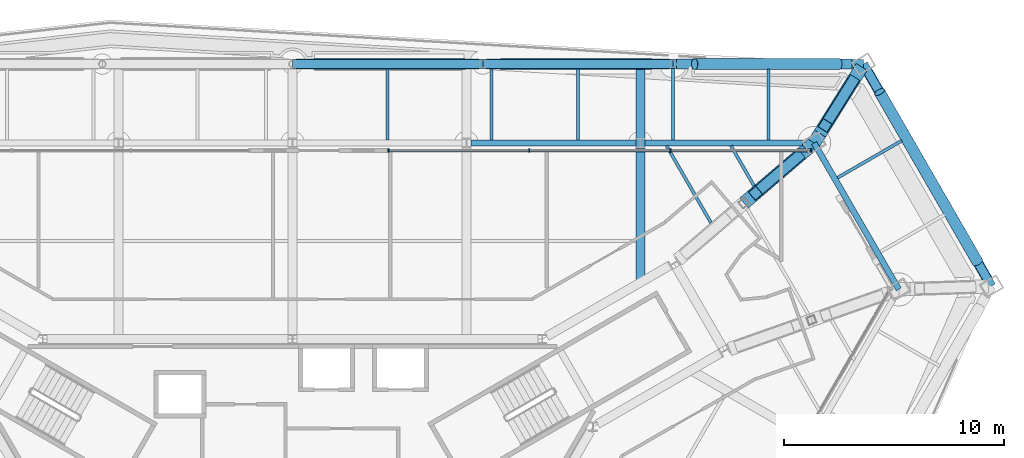
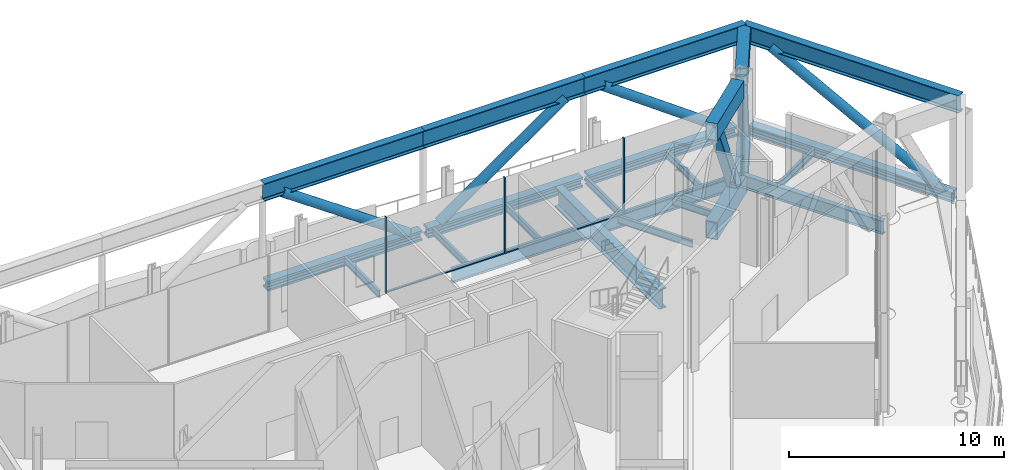
# One storey, part 14 of 26: 24 beams, 13 members, 1 element without a shape of its own.
"""IFC4 building model written with IfcOpenShell, lengths in metres."""

from ifc_helpers import new_model, si_unit, direction, frame, origin, origin_2d, place, context, subcontext, project, spatial, rectangle, hollow_rectangle, hollow_circle, i_section, extrude, material, material_profile, profile_set, type_object, element, aggregate, save


model = new_model("IFC4")

# Units and contexts
model_context = context("Model", 3, precision=1e-05, world=origin(), true_north=direction((0.0, 1.0)))
body_context = subcontext(model_context, "Body", "Model", "MODEL_VIEW")
ifc_project = project(units=[si_unit("LENGTHUNIT", "METRE"), si_unit("AREAUNIT", "SQUARE_METRE"), si_unit("VOLUMEUNIT", "CUBIC_METRE"), si_unit("PLANEANGLEUNIT", "RADIAN"), si_unit("MASSUNIT", "GRAM", prefix="KILO")], contexts=[model_context])

# Site, building, storey
site_placement = place(None, origin())
site = spatial("IfcSite", under=ifc_project, at=site_placement, CompositionType="ELEMENT")
building_placement = place(site_placement, origin())
building = spatial("IfcBuilding", under=site, at=building_placement, Name="Verrane Prism Tower", CompositionType="ELEMENT")
storey_placement = place(building_placement, frame((0.0, 0.0, 87.199951171875)))
storey = spatial("IfcBuildingStorey", under=building, at=storey_placement, Name="L20", CompositionType="ELEMENT", Elevation=87.199951171875)

# Beams
ifc_material_1 = material(Name="Steel A992", Category="steel")
ifc_material_profile_1 = material_profile(ifc_material_1, i_section(OverallWidth=0.45458984375, OverallDepth=0.56884765625, WebThickness=0.077880859375, FlangeThickness=0.124755859375, FilletRadius=0.01513671875, at=origin_2d()), Name="W14x730")
ifc_profile_set_1 = profile_set([ifc_material_profile_1], Name="Steel A992")
beam_type_1 = type_object("IfcBeamType", Name="Belt truss chord W14x730", PredefinedType="BEAM", material=ifc_profile_set_1)
beam_1_placement = place(storey_placement, frame((25.38037109375, 21.669921875, -0.445556640625), z_axis=(-1.0, 0.0, 0.0), x_axis=(0.0, -1.0, 0.0)))
element("IfcBeam", 1, at=beam_1_placement, inside=storey, type_object=beam_type_1, Name="Belt truss chord L20", PredefinedType="BEAM", context=body_context, shape_type="SweptSolid", body=[
    extrude(i_section(OverallWidth=0.45458984375, OverallDepth=0.56884765625, WebThickness=0.077880859375, FlangeThickness=0.124755859375, FilletRadius=0.01513671875, at=origin_2d()), origin(), (0.0, 0.0, 1.0), 7.957763671875),
])
beam_2_placement = place(storey_placement, frame((17.097412109375, 21.669921875, -0.445556640625), z_axis=(-1.0, 0.0, 0.0), x_axis=(0.0, -1.0, 0.0)))
element("IfcBeam", 2, at=beam_2_placement, inside=storey, type_object=beam_type_1, Name="Belt truss chord L20", PredefinedType="BEAM", context=body_context, shape_type="SweptSolid", body=[
    extrude(i_section(OverallWidth=0.45458984375, OverallDepth=0.56884765625, WebThickness=0.077880859375, FlangeThickness=0.124755859375, FilletRadius=0.01513671875, at=origin_2d()), origin(), (0.0, 0.0, 1.0), 8.304931640625),
])
beam_3_placement = place(storey_placement, frame((8.46728515625, 21.669921875, -0.445556640625), z_axis=(-1.0, 0.0, 0.0), x_axis=(0.0, -1.0, 0.0)))
element("IfcBeam", 3, at=beam_3_placement, inside=storey, type_object=beam_type_1, Name="Belt truss chord L20", PredefinedType="BEAM", context=body_context, shape_type="SweptSolid", body=[
    extrude(i_section(OverallWidth=0.45458984375, OverallDepth=0.56884765625, WebThickness=0.077880859375, FlangeThickness=0.124755859375, FilletRadius=0.01513671875, at=origin_2d()), origin(), (0.0, 0.0, 1.0), 8.3046875),
])
beam_4_placement = place(storey_placement, frame((31.53515625, 11.893310546875, -0.445556640625), z_axis=(-0.499381576475, 0.866382156486, 0.0), x_axis=(-0.866382156486, -0.499381576475, 0.0)))
element("IfcBeam", 4, at=beam_4_placement, inside=storey, type_object=beam_type_1, Name="Belt truss chord L20", PredefinedType="BEAM", context=body_context, shape_type="SweptSolid", body=[
    extrude(i_section(OverallWidth=0.45458984375, OverallDepth=0.56884765625, WebThickness=0.077880859375, FlangeThickness=0.124755859375, FilletRadius=0.01513671875, at=origin_2d()), origin(), (0.0, 0.0, 1.0), 10.934326171875),
])
ifc_material_2 = material(Name="Steel A992", Category="steel")
ifc_material_profile_2 = material_profile(ifc_material_2, i_section(OverallWidth=0.4013671875, OverallDepth=1.000732421875, WebThickness=0.01904296875, FlangeThickness=0.0361328125, FilletRadius=0.030029296875, at=origin_2d()), Name="W40x249")
ifc_profile_set_2 = profile_set([ifc_material_profile_2], Name="Steel A992")
beam_type_2 = type_object("IfcBeamType", Name="Belt truss chord W40x249", PredefinedType="BEAM", material=ifc_profile_set_2)
beam_5_placement = place(storey_placement, frame((25.89990234375, 21.669921875, 4.939697265625), z_axis=(-1.0, 0.0, 0.0), x_axis=(0.0, -1.0, 0.0)))
element("IfcBeam", 5, at=beam_5_placement, inside=storey, type_object=beam_type_2, Name="Belt truss chord L20", PredefinedType="BEAM", context=body_context, shape_type="SweptSolid", body=[
    extrude(i_section(OverallWidth=0.4013671875, OverallDepth=1.000732421875, WebThickness=0.01904296875, FlangeThickness=0.0361328125, FilletRadius=0.030029296875, at=origin_2d()), origin(), (0.0, 0.0, 1.0), 8.639892578125),
])
beam_6_placement = place(storey_placement, frame((17.260009765625, 21.669921875, 4.939697265625), z_axis=(-1.0, 0.0, 0.0), x_axis=(0.0, -1.0, 0.0)))
element("IfcBeam", 6, at=beam_6_placement, inside=storey, type_object=beam_type_2, Name="Belt truss chord L20", PredefinedType="BEAM", context=body_context, shape_type="SweptSolid", body=[
    extrude(i_section(OverallWidth=0.4013671875, OverallDepth=1.000732421875, WebThickness=0.01904296875, FlangeThickness=0.0361328125, FilletRadius=0.030029296875, at=origin_2d()), origin(), (0.0, 0.0, 1.0), 8.630126953125),
])
beam_7_placement = place(storey_placement, frame((8.6298828125, 21.669921875, 4.939697265625), z_axis=(-1.0, 0.0, 0.0), x_axis=(0.0, -1.0, 0.0)))
element("IfcBeam", 7, at=beam_7_placement, inside=storey, type_object=beam_type_2, Name="Belt truss chord L20", PredefinedType="BEAM", context=body_context, shape_type="SweptSolid", body=[
    extrude(i_section(OverallWidth=0.4013671875, OverallDepth=1.000732421875, WebThickness=0.01904296875, FlangeThickness=0.0361328125, FilletRadius=0.030029296875, at=origin_2d()), origin(), (0.0, 0.0, 1.0), 8.6298828125),
])
beam_8_placement = place(storey_placement, frame((31.7099609375, 11.590087890625, 4.939697265625), z_axis=(-0.499385129151, 0.866380108718, 0.0), x_axis=(-0.866380108718, -0.499385129151, 0.0)))
element("IfcBeam", 8, at=beam_8_placement, inside=storey, type_object=beam_type_2, Name="Belt truss chord L20", PredefinedType="BEAM", context=body_context, shape_type="SweptSolid", body=[
    extrude(i_section(OverallWidth=0.4013671875, OverallDepth=1.000732421875, WebThickness=0.01904296875, FlangeThickness=0.0361328125, FilletRadius=0.030029296875, at=origin_2d()), origin(), (0.0, 0.0, 1.0), 11.634521484375),
])

# Members
ifc_material_3 = material(Name="Steel A500 Grade C", Category="steel")
ifc_material_profile_3 = material_profile(ifc_material_3, hollow_circle(Radius=0.25390625, WallThickness=0.0126953125, at=origin_2d()), Name="HSS20.000x0.500")
ifc_profile_set_3 = profile_set([ifc_material_profile_3], Name="Steel A500 Grade C")
member_type_1 = type_object("IfcMemberType", Name="Belt truss diagonal HSS20.000x0.500", PredefinedType="BRACE", material=ifc_profile_set_3)
member_1_placement = place(storey_placement, frame((31.07958984375, 12.68359375, -0.160888671875), z_axis=(-0.441486894012, 0.765940031167, 0.467359809004), x_axis=(-0.866382141209, -0.499381602979, 0.0)))
element("IfcMember", 9, at=member_1_placement, inside=storey, type_object=member_type_1, Name="Belt truss diagonal L20", PredefinedType="BRACE", context=body_context, shape_type="SweptSolid", body=[
    extrude(hollow_circle(Radius=0.25390625, WallThickness=0.0126953125, at=origin_2d()), origin(), (0.0, 0.0, 1.0), 10.077880859375),
])
member_2_placement = place(storey_placement, frame((24.781005859375, 21.669921875, -0.160888671875), z_axis=(-0.811550425729, 0.0, 0.584282385922), x_axis=(0.0, -1.0, 0.0)))
element("IfcMember", 10, at=member_2_placement, inside=storey, type_object=member_type_1, Name="Belt truss diagonal L20", PredefinedType="BRACE", context=body_context, shape_type="SweptSolid", body=[
    extrude(hollow_circle(Radius=0.25390625, WallThickness=0.0126953125, at=origin_2d()), origin(), (0.0, 0.0, 1.0), 8.06103515625),
])
for number, where, z_axis, x_axis, name in (
    (11, (9.476318359375, 21.669921875, -0.160888671875), (0.821461511401, 0.0, 0.570263961063), (0.0, 1.0, 0.0), "Belt truss diagonal L20"),
    (12, (7.78369140625, 21.669921875, -0.160888671875), (-0.821461511401, 0.0, 0.570263961063), (0.0, -1.0, 0.0), "Belt truss diagonal L20"),
):
    element("IfcMember", number, at=place(storey_placement, frame(where, z_axis=z_axis, x_axis=x_axis)), inside=storey, type_object=member_type_1, Name=name, PredefinedType="BRACE", context=body_context, shape_type="SweptSolid", body=[
        extrude(hollow_circle(Radius=0.25390625, WallThickness=0.0126953125, at=origin_2d()), origin(), (0.0, 0.0, 1.0), 8.25927734375),
    ])

# Beams
ifc_material_4 = material(Name="Steel A992", Category="steel")
ifc_material_profile_4 = material_profile(ifc_material_4, i_section(OverallWidth=0.2666015625, OverallDepth=0.76708984375, WebThickness=0.014892578125, FlangeThickness=0.023681640625, FilletRadius=0.0166015625, at=origin_2d()), Name="W30x124")
ifc_profile_set_4 = profile_set([ifc_material_profile_4], Name="Steel A992")
beam_type_3 = type_object("IfcBeamType", Name="Chamfer spandrel beam W30x124", PredefinedType="SPANDREL", material=ifc_profile_set_4)
beam_9_placement = place(storey_placement, frame((27.5, 11.449951171875, -0.54345703125), z_axis=(-0.500625947267, 0.86566371122, 0.0), x_axis=(-0.86566371122, -0.500625947267, 0.0)))
element("IfcBeam", 13, at=beam_9_placement, inside=storey, type_object=beam_type_3, Name="Chamfer spandrel beam L20", PredefinedType="SPANDREL", context=body_context, shape_type="SweptSolid", body=[
    extrude(i_section(OverallWidth=0.2666015625, OverallDepth=0.76708984375, WebThickness=0.014892578125, FlangeThickness=0.023681640625, FilletRadius=0.0166015625, at=origin_2d()), origin(), (0.0, 0.0, 1.0), 7.670654296875),
])
ifc_material_5 = material(Name="Steel A992", Category="steel")
ifc_material_profile_5 = material_profile(ifc_material_5, i_section(OverallWidth=0.140380859375, OverallDepth=0.40380859375, WebThickness=0.007080078125, FlangeThickness=0.01123046875, FilletRadius=0.01025390625, at=origin_2d()), Name="W16x31")
ifc_profile_set_5 = profile_set([ifc_material_profile_5], Name="Steel A992")
beam_type_4 = type_object("IfcBeamType", Name="Floor beam W16x31", PredefinedType="BEAM", material=ifc_profile_set_5)
beam_10_placement = place(storey_placement, frame((21.583251953125, 18.223388671875, -0.36181640625), z_axis=(0.0, 1.0, 0.0), x_axis=(-1.0, 0.0, 0.0)))
element("IfcBeam", 14, at=beam_10_placement, inside=storey, type_object=beam_type_4, Name="Floor beam L20", PredefinedType="BEAM", context=body_context, shape_type="SweptSolid", body=[
    extrude(i_section(OverallWidth=0.140380859375, OverallDepth=0.40380859375, WebThickness=0.007080078125, FlangeThickness=0.01123046875, FilletRadius=0.01025390625, at=origin_2d()), origin(), (0.0, 0.0, 1.0), 3.218994140625),
])
beam_11_placement = place(storey_placement, frame((17.2666015625, 18.223388671875, -0.36181640625), z_axis=(0.0, 1.0, 0.0), x_axis=(-1.0, 0.0, 0.0)))
element("IfcBeam", 15, at=beam_11_placement, inside=storey, type_object=beam_type_4, Name="Floor beam L20", PredefinedType="BEAM", context=body_context, shape_type="SweptSolid", body=[
    extrude(i_section(OverallWidth=0.140380859375, OverallDepth=0.40380859375, WebThickness=0.007080078125, FlangeThickness=0.01123046875, FilletRadius=0.01025390625, at=origin_2d()), origin(), (0.0, 0.0, 1.0), 3.24609375),
])
for number, where, z_axis, x_axis, name in (
    (16, (12.949951171875, 18.223388671875, -0.36181640625), (0.0, 1.0, 0.0), (-1.0, 0.0, 0.0), "Floor beam L20"),
    (17, (9.033203125, 18.223388671875, -0.36181640625), (0.0, 1.0, 0.0), (-1.0, 0.0, 0.0), "Floor beam L20"),
    (18, (4.316650390625, 18.223388671875, -0.36181640625), (0.0, 1.0, 0.0), (-1.0, 0.0, 0.0), "Floor beam L20"),
):
    element("IfcBeam", number, at=place(storey_placement, frame(where, z_axis=z_axis, x_axis=x_axis)), inside=storey, type_object=beam_type_4, Name=name, PredefinedType="BEAM", context=body_context, shape_type="SweptSolid", body=[
        extrude(i_section(OverallWidth=0.140380859375, OverallDepth=0.40380859375, WebThickness=0.007080078125, FlangeThickness=0.01123046875, FilletRadius=0.01025390625, at=origin_2d()), origin(), (0.0, 0.0, 1.0), 3.218994140625),
    ])
beam_12_placement = place(storey_placement, frame((20.93505859375, 16.150146484375, -0.36181640625), z_axis=(-0.500016271356, 0.866016009309, 0.0), x_axis=(-0.866016009309, -0.500016271356, 0.0)))
element("IfcBeam", 19, at=beam_12_placement, inside=storey, type_object=beam_type_4, Name="Floor beam L20", PredefinedType="BEAM", context=body_context, shape_type="SweptSolid", body=[
    extrude(i_section(OverallWidth=0.140380859375, OverallDepth=0.40380859375, WebThickness=0.007080078125, FlangeThickness=0.01123046875, FilletRadius=0.01025390625, at=origin_2d()), origin(), (0.0, 0.0, 1.0), 2.0859375),
])
beam_13_placement = place(storey_placement, frame((18.98095703125, 14.475341796875, -0.36181640625), z_axis=(-0.499980071345, 0.866036909293, 0.0), x_axis=(-0.866036909293, -0.499980071345, 0.0)))
element("IfcBeam", 20, at=beam_13_placement, inside=storey, type_object=beam_type_4, Name="Floor beam L20", PredefinedType="BEAM", context=body_context, shape_type="SweptSolid", body=[
    extrude(i_section(OverallWidth=0.140380859375, OverallDepth=0.40380859375, WebThickness=0.007080078125, FlangeThickness=0.01123046875, FilletRadius=0.01025390625, at=origin_2d()), origin(), (0.0, 0.0, 1.0), 4.019775390625),
])
beam_14_placement = place(storey_placement, frame((24.7255859375, 16.513916015625, -0.36181640625), z_axis=(0.866033346517, 0.499986242531, 0.0), x_axis=(-0.499986242531, 0.866033346517, 0.0)))
element("IfcBeam", 21, at=beam_14_placement, inside=storey, type_object=beam_type_4, Name="Floor beam L20", PredefinedType="BEAM", context=body_context, shape_type="SweptSolid", body=[
    extrude(i_section(OverallWidth=0.140380859375, OverallDepth=0.40380859375, WebThickness=0.007080078125, FlangeThickness=0.01123046875, FilletRadius=0.01025390625, at=origin_2d()), origin(), (0.0, 0.0, 1.0), 3.36474609375),
])

# Curtain wall, members
ifc_material_6 = material(Name="Aluminium framed insulated glazing", Category="aluminium")
curtain_wall_type = type_object("IfcCurtainWallType", Name="Curtain wall CW-B 5600 module", PredefinedType="NOTDEFINED", material=ifc_material_6)
curtain_wall_placement = place(storey_placement, origin())
curtain_wall = element("IfcCurtainWall", 22, at=curtain_wall_placement, inside=storey, type_object=curtain_wall_type, Name="Refuge lounge glazing north face L20 1", PredefinedType="NOTDEFINED")
ifc_material_7 = material(Name="Aluminium alloy 6063-T6", Category="aluminium")
ifc_material_profile_6 = material_profile(ifc_material_7, rectangle(XDim=0.159912109375, YDim=0.06005859375, at=origin_2d()), Name="Mullion 60x160 aluminium")
ifc_profile_set_6 = profile_set([ifc_material_profile_6], Name="Aluminium alloy 6063-T6")
member_type_2 = type_object("IfcMemberType", Name="Mullion 60x160 aluminium", PredefinedType="MULLION", material=ifc_profile_set_6)
member_3_placement = place(storey_placement, frame((23.525146484375, 17.7509765625, 0.0), z_axis=(0.0, 0.0, 1.0), x_axis=(0.0, -1.0, 0.0)))
member_3 = element("IfcMember", 23, at=member_3_placement, type_object=member_type_2, Name="CW20.2.1 mullion 1", PredefinedType="MULLION", context=body_context, shape_type="SweptSolid", body=[
    extrude(rectangle(XDim=0.159912109375, YDim=0.06005859375, at=origin_2d()), origin(), (0.0, 0.0, 1.0), 4.322509765625),
])
member_4_placement = place(storey_placement, frame((17.146728515625, 17.7509765625, 0.0), z_axis=(0.0, 0.0, 1.0), x_axis=(0.0, -1.0, 0.0)))
member_4 = element("IfcMember", 24, at=member_4_placement, type_object=member_type_2, Name="CW20.2.1 mullion 2", PredefinedType="MULLION", context=body_context, shape_type="SweptSolid", body=[
    extrude(rectangle(XDim=0.159912109375, YDim=0.06005859375, at=origin_2d()), origin(), (0.0, 0.0, 1.0), 4.322509765625),
])
member_5_placement = place(storey_placement, frame((10.73828125, 17.7509765625, 0.0), z_axis=(0.0, 0.0, 1.0), x_axis=(0.0, -1.0, 0.0)))
member_5 = element("IfcMember", 25, at=member_5_placement, type_object=member_type_2, Name="CW20.2.1 mullion 3", PredefinedType="MULLION", context=body_context, shape_type="SweptSolid", body=[
    extrude(rectangle(XDim=0.159912109375, YDim=0.06005859375, at=origin_2d()), origin(), (0.0, 0.0, 1.0), 4.322509765625),
])
member_6_placement = place(storey_placement, frame((4.360107421875, 17.7509765625, 0.0), z_axis=(0.0, 0.0, 1.0), x_axis=(0.0, -1.0, 0.0)))
member_6 = element("IfcMember", 26, at=member_6_placement, type_object=member_type_2, Name="CW20.2.1 mullion 4", PredefinedType="MULLION", context=body_context, shape_type="SweptSolid", body=[
    extrude(rectangle(XDim=0.159912109375, YDim=0.06005859375, at=origin_2d()), origin(), (0.0, 0.0, 1.0), 4.322509765625),
])

# Beams
ifc_material_8 = material(Name="Steel A572 Grade 50", Category="steel")
ifc_material_profile_7 = material_profile(ifc_material_8, hollow_rectangle(XDim=0.60009765625, YDim=1.0, WallThickness=0.06005859375, at=origin_2d()), Name="BOX 1000x600x60")
ifc_profile_set_7 = profile_set([ifc_material_profile_7], Name="Steel A572 Grade 50")
beam_type_5 = type_object("IfcBeamType", Name="Outrigger truss chord BOX 1000x600x60", PredefinedType="BEAM", material=ifc_profile_set_7)
beam_15_placement = place(storey_placement, frame((25.6298828125, 21.238037109375, -0.659912109375), z_axis=(-0.53048343398, -0.847695302731, 0.0), x_axis=(0.847695302731, -0.53048343398, 0.0)))
element("IfcBeam", 27, at=beam_15_placement, inside=storey, type_object=beam_type_5, Name="Outrigger truss chord L20", PredefinedType="BEAM", context=body_context, shape_type="SweptSolid", body=[
    extrude(hollow_rectangle(XDim=0.60009765625, YDim=1.0, WallThickness=0.06005859375, at=origin_2d()), origin(), (0.0, 0.0, 1.0), 3.713623046875),
])
beam_16_placement = place(storey_placement, frame((23.659912109375, 18.090087890625, -0.659912109375), z_axis=(-0.759322440145, -0.650714554849, 0.0), x_axis=(0.650714554849, -0.759322440145, 0.0)))
element("IfcBeam", 28, at=beam_16_placement, inside=storey, type_object=beam_type_5, Name="Outrigger truss chord L20", PredefinedType="BEAM", context=body_context, shape_type="SweptSolid", body=[
    extrude(hollow_rectangle(XDim=0.60009765625, YDim=1.0, WallThickness=0.06005859375, at=origin_2d()), origin(), (0.0, 0.0, 1.0), 4.187744140625),
])
beam_17_placement = place(storey_placement, frame((25.8203125, 21.542724609375, 4.93994140625), z_axis=(-0.530436128043, -0.847724904711, 0.0), x_axis=(0.847724904711, -0.530436128043, 0.0)))
element("IfcBeam", 29, at=beam_17_placement, inside=storey, type_object=beam_type_5, Name="Outrigger truss chord L20", PredefinedType="BEAM", context=body_context, shape_type="SweptSolid", body=[
    extrude(hollow_rectangle(XDim=0.60009765625, YDim=1.0, WallThickness=0.06005859375, at=origin_2d()), origin(), (0.0, 0.0, 1.0), 3.5634765625),
])
beam_18_placement = place(storey_placement, frame((23.3125, 17.7919921875, 4.93994140625), z_axis=(-0.759372093631, -0.650656609445, 0.0), x_axis=(0.650656609445, -0.759372093631, 0.0)))
element("IfcBeam", 30, at=beam_18_placement, inside=storey, type_object=beam_type_5, Name="Outrigger truss chord L20", PredefinedType="BEAM", context=body_context, shape_type="SweptSolid", body=[
    extrude(hollow_rectangle(XDim=0.60009765625, YDim=1.0, WallThickness=0.06005859375, at=origin_2d()), origin(), (0.0, 0.0, 1.0), 3.72998046875),
])

# Members
ifc_material_9 = material(Name="Steel A500 Grade C", Category="steel")
ifc_material_profile_8 = material_profile(ifc_material_9, hollow_rectangle(XDim=0.508056640625, YDim=0.508056640625, WallThickness=0.01904296875, InnerFilletRadius=0.009521484375, OuterFilletRadius=0.028564453125, at=origin_2d()), Name="HSS20x20x3/4")
ifc_profile_set_8 = profile_set([ifc_material_profile_8], Name="Steel A500 Grade C")
member_type_3 = type_object("IfcMemberType", Name="Outrigger truss diagonal HSS20x20x3/4", PredefinedType="BRACE", material=ifc_profile_set_8)
member_7_placement = place(storey_placement, frame((25.400390625, 20.871337890625, -0.219970703125), z_axis=(-0.235534813834, -0.376382964019, 0.896024115673), x_axis=(0.847699092427, -0.53047737812, 0.0)))
element("IfcMember", 31, at=member_7_placement, inside=storey, type_object=member_type_3, Name="Outrigger truss diagonal L20", PredefinedType="BRACE", context=body_context, shape_type="SweptSolid", body=[
    extrude(hollow_rectangle(XDim=0.508056640625, YDim=0.508056640625, WallThickness=0.01904296875, InnerFilletRadius=0.009521484375, OuterFilletRadius=0.028564453125, at=origin_2d()), origin(), (0.0, 0.0, 1.0), 5.267578125),
])
member_8_placement = place(storey_placement, frame((22.930419921875, 17.46484375, -0.219970703125), z_axis=(-0.359693818957, -0.30821787982, 0.880694098517), x_axis=(0.65068048914, -0.759351632021, 0.0)))
element("IfcMember", 32, at=member_8_placement, inside=storey, type_object=member_type_3, Name="Outrigger truss diagonal L20", PredefinedType="BRACE", context=body_context, shape_type="SweptSolid", body=[
    extrude(hollow_rectangle(XDim=0.508056640625, YDim=0.508056640625, WallThickness=0.01904296875, InnerFilletRadius=0.009521484375, OuterFilletRadius=0.028564453125, at=origin_2d()), origin(), (0.0, 0.0, 1.0), 5.359375),
])

# Beams
ifc_material_10 = material(Name="Steel A992", Category="steel")
ifc_material_profile_9 = material_profile(ifc_material_10, i_section(OverallWidth=0.2666015625, OverallDepth=0.7568359375, WebThickness=0.013916015625, FlangeThickness=0.019287109375, FilletRadius=0.0166015625, at=origin_2d()), Name="W30x108")
ifc_profile_set_9 = profile_set([ifc_material_profile_9], Name="Steel A992")
beam_type_6 = type_object("IfcBeamType", Name="Spandrel beam W30x108", PredefinedType="SPANDREL", material=ifc_profile_set_9)
beam_19_placement = place(storey_placement, frame((23.140380859375, 18.090087890625, -0.538330078125), z_axis=(-1.0, 0.0, 0.0), x_axis=(0.0, -1.0, 0.0)))
element("IfcBeam", 33, at=beam_19_placement, inside=storey, type_object=beam_type_6, Name="Spandrel beam L20", PredefinedType="SPANDREL", context=body_context, shape_type="SweptSolid", body=[
    extrude(i_section(OverallWidth=0.2666015625, OverallDepth=0.7568359375, WebThickness=0.013916015625, FlangeThickness=0.019287109375, FilletRadius=0.0166015625, at=origin_2d()), origin(), (0.0, 0.0, 1.0), 7.148193359375),
])
beam_20_placement = place(storey_placement, frame((15.56787109375, 18.090087890625, -0.538330078125), z_axis=(-1.0, 0.0, 0.0), x_axis=(0.0, -1.0, 0.0)))
element("IfcBeam", 34, at=beam_20_placement, inside=storey, type_object=beam_type_6, Name="Spandrel beam L20", PredefinedType="SPANDREL", context=body_context, shape_type="SweptSolid", body=[
    extrude(i_section(OverallWidth=0.2666015625, OverallDepth=0.7568359375, WebThickness=0.013916015625, FlangeThickness=0.019287109375, FilletRadius=0.0166015625, at=origin_2d()), origin(), (0.0, 0.0, 1.0), 7.4658203125),
])
ifc_material_11 = material(Name="Steel A992", Category="steel")
ifc_material_profile_10 = material_profile(ifc_material_11, i_section(OverallWidth=0.40380859375, OverallDepth=1.11767578125, WebThickness=0.026123046875, FlangeThickness=0.044921875, FilletRadius=0.02001953125, at=origin_2d()), Name="W44x335")
ifc_profile_set_10 = profile_set([ifc_material_profile_10], Name="Steel A992")
beam_type_7 = type_object("IfcBeamType", Name="Transfer girder W44x335", PredefinedType="BEAM", material=ifc_profile_set_10)
beam_21_placement = place(storey_placement, frame((15.780029296875, 21.442626953125, -0.71875), z_axis=(0.0, -1.0, 0.0), x_axis=(1.0, 0.0, 0.0)))
element("IfcBeam", 35, at=beam_21_placement, inside=storey, type_object=beam_type_7, Name="Transfer girder L20", PredefinedType="BEAM", context=body_context, shape_type="SweptSolid", body=[
    extrude(i_section(OverallWidth=0.40380859375, OverallDepth=1.11767578125, WebThickness=0.026123046875, FlangeThickness=0.044921875, FilletRadius=0.02001953125, at=origin_2d()), origin(), (0.0, 0.0, 1.0), 9.678466796875),
])

# Member
ifc_material_12 = material(Name="Aluminium alloy 6063-T6", Category="aluminium")
ifc_material_profile_11 = material_profile(ifc_material_12, rectangle(XDim=0.1201171875, YDim=0.06005859375, at=origin_2d()), Name="Transom 60x120 aluminium")
ifc_profile_set_11 = profile_set([ifc_material_profile_11], Name="Aluminium alloy 6063-T6")
member_type_4 = type_object("IfcMemberType", Name="Transom 60x120 aluminium", PredefinedType="USERDEFINED", material=ifc_profile_set_11)
member_9_placement = place(storey_placement, frame((23.4951171875, 17.7509765625, 0.030029296875), z_axis=(-1.0, 0.0, 0.0), x_axis=(0.0, -1.0, 0.0)))
member_9 = element("IfcMember", 36, at=member_9_placement, type_object=member_type_4, Name="CW20.2.1 transom 1", ObjectType="TRANSOM", PredefinedType="USERDEFINED", context=body_context, shape_type="SweptSolid", body=[
    extrude(rectangle(XDim=0.1201171875, YDim=0.06005859375, at=origin_2d()), origin(), (0.0, 0.0, 1.0), 6.318359375),
])

member_10_placement = place(storey_placement, frame((17.11669921875, 17.7509765625, 0.030029296875), z_axis=(-1.0, 0.0, 0.0), x_axis=(0.0, -1.0, 0.0)))
member_10 = element("IfcMember", 37, at=member_10_placement, type_object=member_type_4, Name="CW20.2.1 transom 2", ObjectType="TRANSOM", PredefinedType="USERDEFINED", context=body_context, shape_type="SweptSolid", body=[
    extrude(rectangle(XDim=0.1201171875, YDim=0.06005859375, at=origin_2d()), origin(), (0.0, 0.0, 1.0), 6.348388671875),
])

member_11_placement = place(storey_placement, frame((10.708251953125, 17.7509765625, 0.030029296875), z_axis=(-1.0, 0.0, 0.0), x_axis=(0.0, -1.0, 0.0)))
member_11 = element("IfcMember", 38, at=member_11_placement, type_object=member_type_4, Name="CW20.2.1 transom 3", ObjectType="TRANSOM", PredefinedType="USERDEFINED", context=body_context, shape_type="SweptSolid", body=[
    extrude(rectangle(XDim=0.1201171875, YDim=0.06005859375, at=origin_2d()), origin(), (0.0, 0.0, 1.0), 6.318359375),
])

aggregate(curtain_wall, [member_3, member_4, member_5, member_6, member_9, member_10, member_11])

save(model, "model.ifc")
